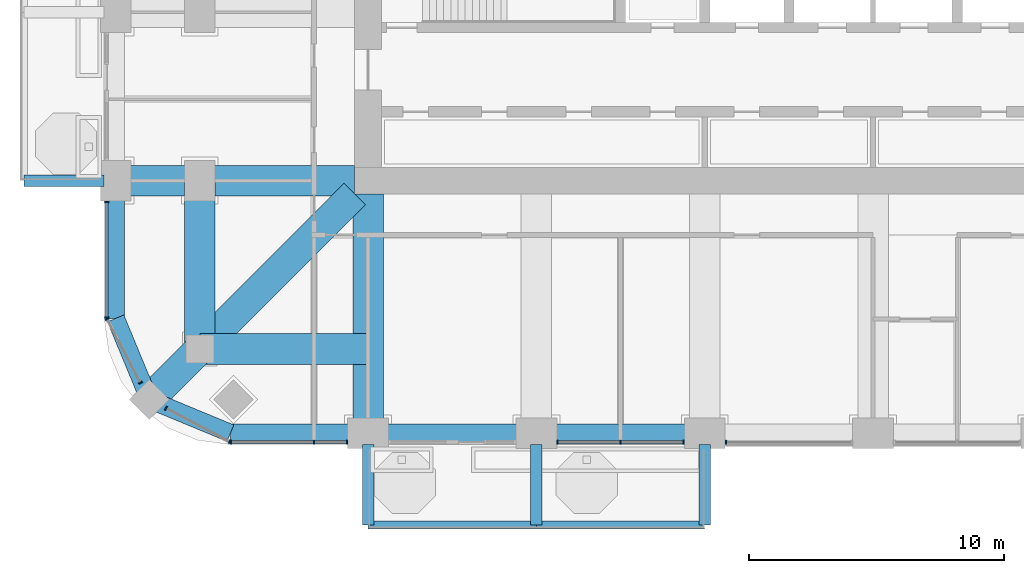
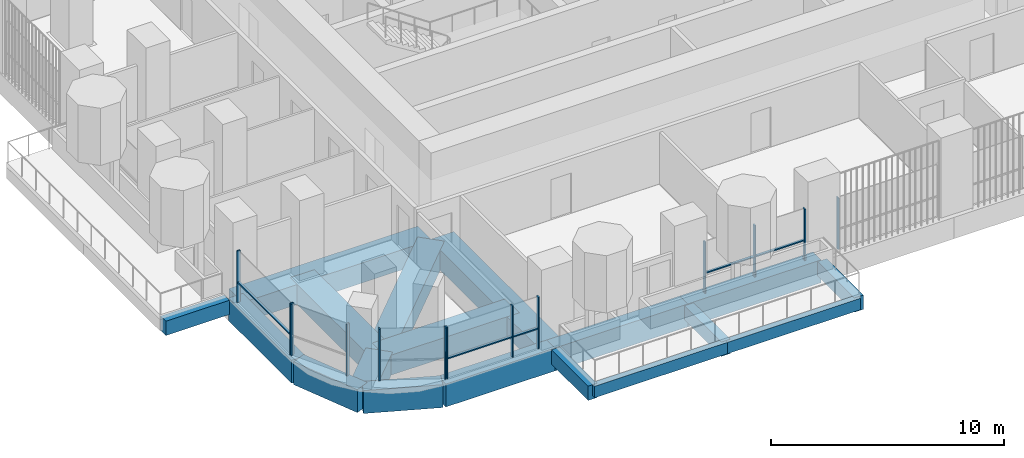
# One storey, part 2 of 20: 18 beams, 18 members, 6 elements without a shape of their own.
"""IFC4 building model written with IfcOpenShell, lengths in metres."""

from ifc_helpers import new_model, si_unit, direction, frame, origin, origin_2d, place, context, subcontext, project, spatial, rectangle, extrude, material, material_profile, profile_set, type_object, element, aggregate, save


model = new_model("IFC4")

# Units and contexts
model_context = context("Model", 3, precision=1e-05, world=origin(), true_north=direction((0.0, 1.0)))
body_context = subcontext(model_context, "Body", "Model", "MODEL_VIEW")
ifc_project = project(units=[si_unit("LENGTHUNIT", "METRE"), si_unit("AREAUNIT", "SQUARE_METRE"), si_unit("VOLUMEUNIT", "CUBIC_METRE"), si_unit("PLANEANGLEUNIT", "RADIAN"), si_unit("MASSUNIT", "GRAM", prefix="KILO")], contexts=[model_context])

# Site, building, storey
site_placement = place(None, origin())
site = spatial("IfcSite", under=ifc_project, at=site_placement, CompositionType="ELEMENT")
building_placement = place(site_placement, origin())
building = spatial("IfcBuilding", under=site, at=building_placement, Name="Cobogo Forest Laboratory Tower", CompositionType="ELEMENT")
storey_placement = place(building_placement, frame((0.0, 0.0, 176.699951171875)))
storey = spatial("IfcBuildingStorey", under=building, at=storey_placement, Name="L40", CompositionType="ELEMENT", Elevation=176.699951171875)

# Beams
ifc_material_1 = material(Name="Concrete HA-40 (C40/50)", Category="concrete")
ifc_material_profile_1 = material_profile(ifc_material_1, rectangle(XDim=0.449951171875, YDim=0.75, at=origin_2d()), Name="RC 450x750")
ifc_profile_set_1 = profile_set([ifc_material_profile_1], Name="Concrete HA-40 (C40/50)")
beam_type_1 = type_object("IfcBeamType", Name="Balcony cantilever beam 450x750", PredefinedType="BEAM", material=ifc_profile_set_1)
for number, where, z_axis, x_axis, name in (
    (1, (13.199951171875, 2.85009765625, -0.625), (0.0, -1.0, 0.0), (1.0, 0.0, 0.0), "CB1 BAL-S1-C1 L40"),
    (2, (19.800048828125, 2.85009765625, -0.625), (0.0, -1.0, 0.0), (1.0, 0.0, 0.0), "CB1 BAL-S1-C2 L40"),
    (3, (26.39990234375, 2.85009765625, -0.625), (0.0, -1.0, 0.0), (1.0, 0.0, 0.0), "CB1 BAL-S1-C3 L40"),
    (4, (2.85009765625, 13.199951171875, -0.625), (-1.0, 0.0, 0.0), (0.0, -1.0, 0.0), "CB1 BAL-W1-C1 L40"),
):
    element("IfcBeam", number, at=place(storey_placement, frame(where, z_axis=z_axis, x_axis=x_axis)), inside=storey, type_object=beam_type_1, Name=name, PredefinedType="BEAM", context=body_context, shape_type="SweptSolid", body=[
        extrude(rectangle(XDim=0.449951171875, YDim=0.75, at=origin_2d()), origin(), (0.0, 0.0, 1.0), 3.150146484375),
    ])
ifc_material_profile_2 = material_profile(ifc_material_1, rectangle(XDim=0.300048828125, YDim=0.60009765625, at=origin_2d()), Name="RC 300x600")
ifc_profile_set_2 = profile_set([ifc_material_profile_2], Name="Concrete HA-40 (C40/50)")
beam_type_2 = type_object("IfcBeamType", Name="Balcony edge beam 300x600", PredefinedType="BEAM", material=ifc_profile_set_2)
beam_1_placement = place(storey_placement, frame((13.199951171875, -0.300048828125, -0.550048828125), z_axis=(1.0, 0.0, 0.0), x_axis=(0.0, 1.0, 0.0)))
element("IfcBeam", 5, at=beam_1_placement, inside=storey, type_object=beam_type_2, Name="BB1 BAL-S1-T1 L40", PredefinedType="BEAM", context=body_context, shape_type="SweptSolid", body=[
    extrude(rectangle(XDim=0.300048828125, YDim=0.60009765625, at=origin_2d()), origin(), (0.0, 0.0, 1.0), 6.60009765625),
])
beam_2_placement = place(storey_placement, frame((19.800048828125, -0.300048828125, -0.550048828125), z_axis=(1.0, 0.0, 0.0), x_axis=(0.0, 1.0, 0.0)))
element("IfcBeam", 6, at=beam_2_placement, inside=storey, type_object=beam_type_2, Name="BB1 BAL-S1-T2 L40", PredefinedType="BEAM", context=body_context, shape_type="SweptSolid", body=[
    extrude(rectangle(XDim=0.300048828125, YDim=0.60009765625, at=origin_2d()), origin(), (0.0, 0.0, 1.0), 6.599853515625),
])
ifc_material_profile_3 = material_profile(ifc_material_1, rectangle(XDim=1.199951171875, YDim=1.050048828125, at=origin_2d()), Name="RC 1200x1050")
ifc_profile_set_3 = profile_set([ifc_material_profile_3], Name="Concrete HA-40 (C40/50)")
beam_type_3 = type_object("IfcBeamType", Name="Laboratory floor wide beam 1200x1050", PredefinedType="BEAM", material=ifc_profile_set_3)
for number, where, z_axis, x_axis, name in (
    (7, (13.199951171875, 12.675048828125, -0.824951171875), (0.0, -1.0, 0.0), (1.0, 0.0, 0.0), "RB1 R-3-S L40"),
    (8, (12.675048828125, 13.199951171875, -0.824951171875), (-1.0, 0.0, 0.0), (0.0, -1.0, 0.0), "RB1 R-C-W L40"),
):
    element("IfcBeam", number, at=place(storey_placement, frame(where, z_axis=z_axis, x_axis=x_axis)), inside=storey, type_object=beam_type_3, Name=name, PredefinedType="BEAM", context=body_context, shape_type="SweptSolid", body=[
        extrude(rectangle(XDim=1.199951171875, YDim=1.050048828125, at=origin_2d()), origin(), (0.0, 0.0, 1.0), 9.375),
    ])
for number, where, z_axis, x_axis, name in (
    (9, (6.60009765625, 6.60009765625, -0.824951171875), (0.0, 1.0, 0.0), (-1.0, 0.0, 0.0), "RB1 G-SW-XC L40"),
    (10, (6.60009765625, 6.60009765625, -0.824951171875), (1.0, 0.0, 0.0), (0.0, 1.0, 0.0), "RB1 G-SW-YC L40"),
):
    element("IfcBeam", number, at=place(storey_placement, frame(where, z_axis=z_axis, x_axis=x_axis)), inside=storey, type_object=beam_type_3, Name=name, PredefinedType="BEAM", context=body_context, shape_type="SweptSolid", body=[
        extrude(rectangle(XDim=1.199951171875, YDim=1.050048828125, at=origin_2d()), origin(), (0.0, 0.0, 1.0), 6.599853515625),
    ])
beam_3_placement = place(storey_placement, frame((4.617919921875, 4.617919921875, -0.824951171875), z_axis=(0.707106781187, 0.707106781187, 0.0), x_axis=(-0.707106781187, 0.707106781187, 0.0)))
element("IfcBeam", 11, at=beam_3_placement, inside=storey, type_object=beam_type_3, Name="RB1 G-SW-D1 L40", PredefinedType="BEAM", context=body_context, shape_type="SweptSolid", body=[
    extrude(rectangle(XDim=1.199951171875, YDim=1.050048828125, at=origin_2d()), origin(), (0.0, 0.0, 1.0), 2.80322265625),
])
beam_4_placement = place(storey_placement, frame((6.60009765625, 6.60009765625, -0.824951171875), z_axis=(0.707106781187, 0.707106781187, 0.0), x_axis=(-0.707106781187, 0.707106781187, 0.0)))
element("IfcBeam", 12, at=beam_4_placement, inside=storey, type_object=beam_type_3, Name="RB1 G-SW-D2 L40", PredefinedType="BEAM", context=body_context, shape_type="SweptSolid", body=[
    extrude(rectangle(XDim=1.199951171875, YDim=1.050048828125, at=origin_2d()), origin(), (0.0, 0.0, 1.0), 8.59130859375),
])

# Curtain wall, members
ifc_material_2 = material(Name="Aluminium curtain wall", Category="aluminium")
curtain_wall_type = type_object("IfcCurtainWallType", Name="CW-2 unitised curtain wall, solar control glazing, laboratory floors zones C and D", PredefinedType="USERDEFINED", material=ifc_material_2)
curtain_wall_1_placement = place(storey_placement, origin())
curtain_wall_1 = element("IfcCurtainWall", 13, at=curtain_wall_1_placement, inside=storey, type_object=curtain_wall_type, Name="Curtain wall 01 L40", ObjectType="UNITISED CURTAIN WALL", PredefinedType="USERDEFINED")
ifc_material_3 = material(Name="Aluminium mullion", Category="aluminium")
ifc_material_profile_4 = material_profile(ifc_material_3, rectangle(XDim=0.06005859375, YDim=0.159912109375, at=origin_2d()), Name="AL 60x160")
ifc_profile_set_4 = profile_set([ifc_material_profile_4], Name="Aluminium mullion")
member_type_1 = type_object("IfcMemberType", Name="MU-1 aluminium mullion 60x160", PredefinedType="MULLION", material=ifc_profile_set_4)
member_1_placement = place(storey_placement, frame((7.830078125, 2.949951171875, 0.0), z_axis=(0.0, 0.0, 1.0), x_axis=(1.0, 0.0, 0.0)))
member_1 = element("IfcMember", 14, at=member_1_placement, type_object=member_type_1, Name="CW-2 mullion 1", PredefinedType="MULLION", context=body_context, shape_type="SweptSolid", body=[
    extrude(rectangle(XDim=0.06005859375, YDim=0.159912109375, at=origin_2d()), origin(), (0.0, 0.0, 1.0), 2.699951171875),
])
member_2_placement = place(storey_placement, frame((11.074951171875, 2.949951171875, 0.0), z_axis=(0.0, 0.0, 1.0), x_axis=(1.0, 0.0, 0.0)))
member_2 = element("IfcMember", 15, at=member_2_placement, type_object=member_type_1, Name="CW-2 mullion 2", PredefinedType="MULLION", context=body_context, shape_type="SweptSolid", body=[
    extrude(rectangle(XDim=0.06005859375, YDim=0.159912109375, at=origin_2d()), origin(), (0.0, 0.0, 1.0), 2.699951171875),
])
member_3_placement = place(storey_placement, frame((12.3701171875, 2.949951171875, 0.0), z_axis=(0.0, 0.0, 1.0), x_axis=(1.0, 0.0, 0.0)))
member_3 = element("IfcMember", 16, at=member_3_placement, type_object=member_type_1, Name="CW-2 mullion 3", PredefinedType="MULLION", context=body_context, shape_type="SweptSolid", body=[
    extrude(rectangle(XDim=0.06005859375, YDim=0.159912109375, at=origin_2d()), origin(), (0.0, 0.0, 1.0), 2.699951171875),
])

curtain_wall_2_placement = place(storey_placement, origin())
curtain_wall_2 = element("IfcCurtainWall", 17, at=curtain_wall_2_placement, inside=storey, type_object=curtain_wall_type, Name="Curtain wall 03 L40", ObjectType="UNITISED CURTAIN WALL", PredefinedType="USERDEFINED")
member_4_placement = place(storey_placement, frame((20.6298828125, 2.949951171875, 0.0), z_axis=(0.0, 0.0, 1.0), x_axis=(1.0, 0.0, 0.0)))
member_4 = element("IfcMember", 18, at=member_4_placement, type_object=member_type_1, Name="CW-2 mullion 1", PredefinedType="MULLION", context=body_context, shape_type="SweptSolid", body=[
    extrude(rectangle(XDim=0.06005859375, YDim=0.159912109375, at=origin_2d()), origin(), (0.0, 0.0, 1.0), 2.699951171875),
])
member_5_placement = place(storey_placement, frame((23.10009765625, 2.949951171875, 0.0), z_axis=(0.0, 0.0, 1.0), x_axis=(1.0, 0.0, 0.0)))
member_5 = element("IfcMember", 19, at=member_5_placement, type_object=member_type_1, Name="CW-2 mullion 2", PredefinedType="MULLION", context=body_context, shape_type="SweptSolid", body=[
    extrude(rectangle(XDim=0.06005859375, YDim=0.159912109375, at=origin_2d()), origin(), (0.0, 0.0, 1.0), 2.699951171875),
])
member_6_placement = place(storey_placement, frame((25.570068359375, 2.949951171875, 0.0), z_axis=(0.0, 0.0, 1.0), x_axis=(1.0, 0.0, 0.0)))
member_6 = element("IfcMember", 20, at=member_6_placement, type_object=member_type_1, Name="CW-2 mullion 3", PredefinedType="MULLION", context=body_context, shape_type="SweptSolid", body=[
    extrude(rectangle(XDim=0.06005859375, YDim=0.159912109375, at=origin_2d()), origin(), (0.0, 0.0, 1.0), 2.699951171875),
])

# Curtain wall, member
curtain_wall_3_placement = place(storey_placement, origin())
curtain_wall_3 = element("IfcCurtainWall", 21, at=curtain_wall_3_placement, inside=storey, type_object=curtain_wall_type, Name="Curtain wall 04 L40", ObjectType="UNITISED CURTAIN WALL", PredefinedType="USERDEFINED")
member_7_placement = place(storey_placement, frame((27.22998046875, 2.949951171875, 0.0), z_axis=(0.0, 0.0, 1.0), x_axis=(1.0, 0.0, 0.0)))
member_7 = element("IfcMember", 22, at=member_7_placement, type_object=member_type_1, Name="CW-2 mullion 1", PredefinedType="MULLION", context=body_context, shape_type="SweptSolid", body=[
    extrude(rectangle(XDim=0.06005859375, YDim=0.159912109375, at=origin_2d()), origin(), (0.0, 0.0, 1.0), 2.699951171875),
])
aggregate(curtain_wall_3, [member_7])

# Curtain wall, members
curtain_wall_4_placement = place(storey_placement, origin())
curtain_wall_4 = element("IfcCurtainWall", 23, at=curtain_wall_4_placement, inside=storey, type_object=curtain_wall_type, Name="Curtain wall 28 L40", ObjectType="UNITISED CURTAIN WALL", PredefinedType="USERDEFINED")
member_8_placement = place(storey_placement, frame((2.949951171875, 12.3701171875, 0.0), z_axis=(0.0, 0.0, 1.0), x_axis=(0.0, -1.0, 0.0)))
member_8 = element("IfcMember", 24, at=member_8_placement, type_object=member_type_1, Name="CW-2 mullion 1", PredefinedType="MULLION", context=body_context, shape_type="SweptSolid", body=[
    extrude(rectangle(XDim=0.06005859375, YDim=0.159912109375, at=origin_2d()), origin(), (0.0, 0.0, 1.0), 2.699951171875),
])
member_9_placement = place(storey_placement, frame((2.949951171875, 7.830078125, 0.0), z_axis=(0.0, 0.0, 1.0), x_axis=(0.0, -1.0, 0.0)))
member_9 = element("IfcMember", 25, at=member_9_placement, type_object=member_type_1, Name="CW-2 mullion 2", PredefinedType="MULLION", context=body_context, shape_type="SweptSolid", body=[
    extrude(rectangle(XDim=0.06005859375, YDim=0.159912109375, at=origin_2d()), origin(), (0.0, 0.0, 1.0), 2.699951171875),
])

curtain_wall_5_placement = place(storey_placement, origin())
curtain_wall_5 = element("IfcCurtainWall", 26, at=curtain_wall_5_placement, inside=storey, type_object=curtain_wall_type, Name="Curtain wall 29 L40", ObjectType="UNITISED CURTAIN WALL", PredefinedType="USERDEFINED")
member_10_placement = place(storey_placement, frame((2.9638671875, 7.7734375, 0.0), z_axis=(0.0, 0.0, 1.0), x_axis=(0.464283804832, -0.885686484356, 0.0)))
member_10 = element("IfcMember", 27, at=member_10_placement, type_object=member_type_1, Name="CW-2 mullion 1", PredefinedType="MULLION", context=body_context, shape_type="SweptSolid", body=[
    extrude(rectangle(XDim=0.06005859375, YDim=0.159912109375, at=origin_2d()), origin(), (0.0, 0.0, 1.0), 2.699951171875),
])
member_11_placement = place(storey_placement, frame((4.2734375, 5.275634765625, 0.0), z_axis=(0.0, 0.0, 1.0), x_axis=(0.464283804832, -0.885686484356, 0.0)))
member_11 = element("IfcMember", 28, at=member_11_placement, type_object=member_type_1, Name="CW-2 mullion 2", PredefinedType="MULLION", context=body_context, shape_type="SweptSolid", body=[
    extrude(rectangle(XDim=0.06005859375, YDim=0.159912109375, at=origin_2d()), origin(), (0.0, 0.0, 1.0), 2.699951171875),
])
aggregate(curtain_wall_5, [member_10, member_11])

curtain_wall_6_placement = place(storey_placement, origin())
curtain_wall_6 = element("IfcCurtainWall", 29, at=curtain_wall_6_placement, inside=storey, type_object=curtain_wall_type, Name="Curtain wall 30 L40", ObjectType="UNITISED CURTAIN WALL", PredefinedType="USERDEFINED")
member_12_placement = place(storey_placement, frame((5.275634765625, 4.2734375, 0.0), z_axis=(0.0, 0.0, 1.0), x_axis=(0.885686484356, -0.464283804832, 0.0)))
member_12 = element("IfcMember", 30, at=member_12_placement, type_object=member_type_1, Name="CW-2 mullion 1", PredefinedType="MULLION", context=body_context, shape_type="SweptSolid", body=[
    extrude(rectangle(XDim=0.06005859375, YDim=0.159912109375, at=origin_2d()), origin(), (0.0, 0.0, 1.0), 2.699951171875),
])
member_13_placement = place(storey_placement, frame((7.7734375, 2.9638671875, 0.0), z_axis=(0.0, 0.0, 1.0), x_axis=(0.885686484356, -0.464283804832, 0.0)))
member_13 = element("IfcMember", 31, at=member_13_placement, type_object=member_type_1, Name="CW-2 mullion 2", PredefinedType="MULLION", context=body_context, shape_type="SweptSolid", body=[
    extrude(rectangle(XDim=0.06005859375, YDim=0.159912109375, at=origin_2d()), origin(), (0.0, 0.0, 1.0), 2.699951171875),
])
aggregate(curtain_wall_6, [member_12, member_13])

# Beams
ifc_material_profile_5 = material_profile(ifc_material_1, rectangle(XDim=0.699951171875, YDim=1.199951171875, at=origin_2d()), Name="RC 700x1200")
ifc_profile_set_5 = profile_set([ifc_material_profile_5], Name="Concrete HA-40 (C40/50)")
beam_type_4 = type_object("IfcBeamType", Name="Perimeter edge beam 700x1200", PredefinedType="BEAM", material=ifc_profile_set_5)
beam_5_placement = place(storey_placement, frame((13.199951171875, 3.300048828125, -0.89990234375), z_axis=(1.0, 0.0, 0.0), x_axis=(0.0, 1.0, 0.0)))
element("IfcBeam", 32, at=beam_5_placement, inside=storey, type_object=beam_type_4, Name="EB1 E-S1 L40", PredefinedType="BEAM", context=body_context, shape_type="SweptSolid", body=[
    extrude(rectangle(XDim=0.699951171875, YDim=1.199951171875, at=origin_2d()), origin(), (0.0, 0.0, 1.0), 6.60009765625),
])
beam_6_placement = place(storey_placement, frame((19.800048828125, 3.300048828125, -0.89990234375), z_axis=(1.0, 0.0, 0.0), x_axis=(0.0, 1.0, 0.0)))
element("IfcBeam", 33, at=beam_6_placement, inside=storey, type_object=beam_type_4, Name="EB1 E-S2 L40", PredefinedType="BEAM", context=body_context, shape_type="SweptSolid", body=[
    extrude(rectangle(XDim=0.699951171875, YDim=1.199951171875, at=origin_2d()), origin(), (0.0, 0.0, 1.0), 6.599853515625),
])
beam_7_placement = place(storey_placement, frame((13.199951171875, 3.300048828125, -0.89990234375), z_axis=(-1.0, 0.0, 0.0), x_axis=(0.0, -1.0, 0.0)))
element("IfcBeam", 34, at=beam_7_placement, inside=storey, type_object=beam_type_4, Name="EB1 E-SWS1 L40", PredefinedType="BEAM", context=body_context, shape_type="SweptSolid", body=[
    extrude(rectangle(XDim=0.699951171875, YDim=1.199951171875, at=origin_2d()), origin(), (0.0, 0.0, 1.0), 5.39990234375),
])
beam_8_placement = place(storey_placement, frame((7.800048828125, 3.300048828125, -0.89990234375), z_axis=(-0.923901072997, 0.382631424892, 0.0), x_axis=(-0.382631424892, -0.923901072997, 0.0)))
element("IfcBeam", 35, at=beam_8_placement, inside=storey, type_object=beam_type_4, Name="EB1 E-SWS2 L40", PredefinedType="BEAM", context=body_context, shape_type="SweptSolid", body=[
    extrude(rectangle(XDim=0.699951171875, YDim=1.199951171875, at=origin_2d()), origin(), (0.0, 0.0, 1.0), 3.4443359375),
])
beam_9_placement = place(storey_placement, frame((3.300048828125, 13.199951171875, -0.89990234375), z_axis=(0.0, -1.0, 0.0), x_axis=(1.0, 0.0, 0.0)))
element("IfcBeam", 36, at=beam_9_placement, inside=storey, type_object=beam_type_4, Name="EB1 E-SWW1 L40", PredefinedType="BEAM", context=body_context, shape_type="SweptSolid", body=[
    extrude(rectangle(XDim=0.699951171875, YDim=1.199951171875, at=origin_2d()), origin(), (0.0, 0.0, 1.0), 5.39990234375),
])
beam_10_placement = place(storey_placement, frame((3.300048828125, 7.800048828125, -0.89990234375), z_axis=(0.382631424892, -0.923901072997, 0.0), x_axis=(0.923901072997, 0.382631424892, 0.0)))
element("IfcBeam", 37, at=beam_10_placement, inside=storey, type_object=beam_type_4, Name="EB1 E-SWW2 L40", PredefinedType="BEAM", context=body_context, shape_type="SweptSolid", body=[
    extrude(rectangle(XDim=0.699951171875, YDim=1.199951171875, at=origin_2d()), origin(), (0.0, 0.0, 1.0), 3.4443359375),
])

# Member
ifc_material_4 = material(Name="Aluminium transom", Category="aluminium")
ifc_material_profile_6 = material_profile(ifc_material_4, rectangle(XDim=0.1201171875, YDim=0.06005859375, at=origin_2d()), Name="AL 60x120")
ifc_profile_set_6 = profile_set([ifc_material_profile_6], Name="Aluminium transom")
member_type_2 = type_object("IfcMemberType", Name="TR-1 aluminium transom 60x120", PredefinedType="USERDEFINED", material=ifc_profile_set_6)
member_14_placement = place(storey_placement, frame((7.860107421875, 2.949951171875, 1.050048828125), z_axis=(1.0, 0.0, 0.0), x_axis=(0.0, 1.0, 0.0)))
member_14 = element("IfcMember", 38, at=member_14_placement, type_object=member_type_2, Name="CW-2 transom 1.1", ObjectType="TRANSOM", PredefinedType="USERDEFINED", context=body_context, shape_type="SweptSolid", body=[
    extrude(rectangle(XDim=0.1201171875, YDim=0.06005859375, at=origin_2d()), origin(), (0.0, 0.0, 1.0), 3.184814453125),
])

member_15_placement = place(storey_placement, frame((11.10498046875, 2.949951171875, 1.050048828125), z_axis=(1.0, 0.0, 0.0), x_axis=(0.0, 1.0, 0.0)))
member_15 = element("IfcMember", 39, at=member_15_placement, type_object=member_type_2, Name="CW-2 transom 2.1", ObjectType="TRANSOM", PredefinedType="USERDEFINED", context=body_context, shape_type="SweptSolid", body=[
    extrude(rectangle(XDim=0.1201171875, YDim=0.06005859375, at=origin_2d()), origin(), (0.0, 0.0, 1.0), 1.235107421875),
])

aggregate(curtain_wall_1, [member_1, member_2, member_3, member_14, member_15])

member_16_placement = place(storey_placement, frame((20.659912109375, 2.949951171875, 1.050048828125), z_axis=(1.0, 0.0, 0.0), x_axis=(0.0, 1.0, 0.0)))
member_16 = element("IfcMember", 40, at=member_16_placement, type_object=member_type_2, Name="CW-2 transom 1.1", ObjectType="TRANSOM", PredefinedType="USERDEFINED", context=body_context, shape_type="SweptSolid", body=[
    extrude(rectangle(XDim=0.1201171875, YDim=0.06005859375, at=origin_2d()), origin(), (0.0, 0.0, 1.0), 2.41015625),
])

member_17_placement = place(storey_placement, frame((23.1298828125, 2.949951171875, 1.050048828125), z_axis=(1.0, 0.0, 0.0), x_axis=(0.0, 1.0, 0.0)))
member_17 = element("IfcMember", 41, at=member_17_placement, type_object=member_type_2, Name="CW-2 transom 2.1", ObjectType="TRANSOM", PredefinedType="USERDEFINED", context=body_context, shape_type="SweptSolid", body=[
    extrude(rectangle(XDim=0.1201171875, YDim=0.06005859375, at=origin_2d()), origin(), (0.0, 0.0, 1.0), 2.41015625),
])

aggregate(curtain_wall_2, [member_4, member_5, member_6, member_16, member_17])

member_18_placement = place(storey_placement, frame((2.949951171875, 12.340087890625, 1.050048828125), z_axis=(0.0, -1.0, 0.0), x_axis=(1.0, 0.0, 0.0)))
member_18 = element("IfcMember", 42, at=member_18_placement, type_object=member_type_2, Name="CW-2 transom 1.1", ObjectType="TRANSOM", PredefinedType="USERDEFINED", context=body_context, shape_type="SweptSolid", body=[
    extrude(rectangle(XDim=0.1201171875, YDim=0.06005859375, at=origin_2d()), origin(), (0.0, 0.0, 1.0), 4.47998046875),
])

aggregate(curtain_wall_4, [member_8, member_9, member_18])

save(model, "model.ifc")
